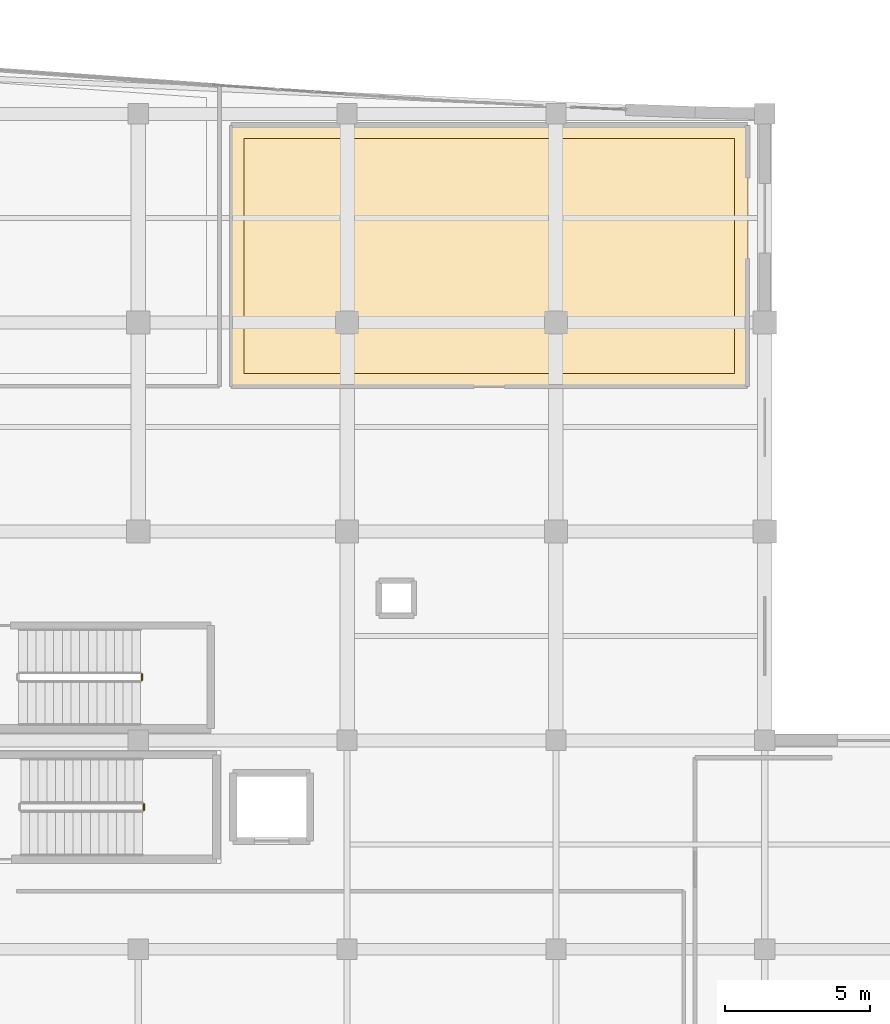
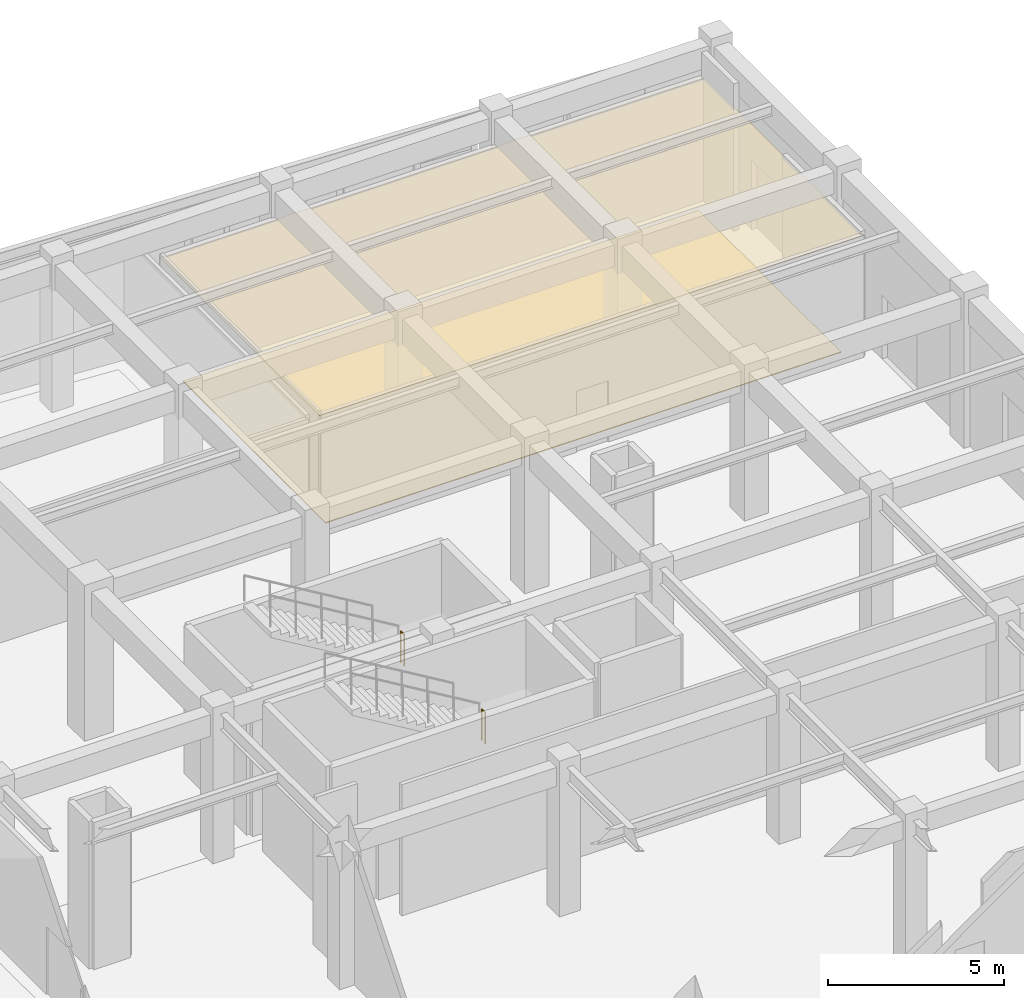
# One storey, part 102 of 102: 2 coverings, 2 railings.
"""IFC4 building model written with IfcOpenShell, lengths in metres."""

import ifcopenshell
import ifcopenshell.guid

model = None  # the IFC model being written
_history = None  # IfcOwnerHistory: only IFC2X3 demands one
_inside = {}  # id of a spatial element -> (the spatial element, [elements in it])
_under = {}  # id of a project, library or spatial element -> (it, [spatial elements below it])
_declared = {}  # id of a project -> (the project, [libraries it declares])
_typed = {}  # id of a type object -> (the type object, [elements of that type])
_made_of = {}  # id of a material, layer set ... -> (it, [elements and type objects made of it])


def new_model(schema):
    """Start an empty IFC model of exactly this schema.

    Asked for "IFC4X3", IfcOpenShell would pick the latest addendum, in which some entities
    have other attributes; the version numbers below select the first issue.
    IFC2X3 requires an IfcOwnerHistory on every rooted entity: one is made here for all.
    """
    global model, _history
    if schema == "IFC4X3":
        model = ifcopenshell.file(schema_version=(4, 3, 0, 0))
    else:
        model = ifcopenshell.file(schema=schema)
    _inside.clear()
    _under.clear()
    _declared.clear()
    _typed.clear()
    _made_of.clear()
    _history = None
    if model.schema == "IFC2X3":
        org = make("IfcOrganization", Name="unknown")
        user = make(
            "IfcPersonAndOrganization",
            ThePerson=make("IfcPerson", FamilyName="unknown"),
            TheOrganization=org,
        )
        app = make(
            "IfcApplication",
            ApplicationDeveloper=org,
            Version="unknown",
            ApplicationFullName="unknown",
            ApplicationIdentifier="unknown",
        )
        _history = make(
            "IfcOwnerHistory",
            OwningUser=user,
            OwningApplication=app,
            ChangeAction="ADDED",
            CreationDate=0,
        )
    return model


def make(cls, **values):
    """One entity of the class cls with the attributes given. An attribute that is None is left unset."""
    return model.create_entity(
        cls, **{name: value for name, value in values.items() if value is not None}
    )


def rooted(cls, **values):
    """An entity with a GlobalId (a new one), such as an element, a storey or a relation."""
    return make(cls, GlobalId=ifcopenshell.guid.new(), OwnerHistory=_history, **values)


def si_unit(unit_type, name, prefix=None):
    """IfcSIUnit, for example si_unit("LENGTHUNIT", "METRE", prefix="MILLI")."""
    return make("IfcSIUnit", UnitType=unit_type, Prefix=prefix, Name=name)


def assignment(units):
    """IfcUnitAssignment: the units of a project."""
    return None if units is None else make("IfcUnitAssignment", Units=units)


def point(xyz):
    """IfcCartesianPoint."""
    return None if xyz is None else make("IfcCartesianPoint", Coordinates=xyz)


def direction(xyz):
    """IfcDirection."""
    return None if xyz is None else make("IfcDirection", DirectionRatios=xyz)


def frame(location, z_axis=None, x_axis=None):
    """IfcAxis2Placement3D, a coordinate frame: its origin and axes. An axis left out is left unset."""
    return make(
        "IfcAxis2Placement3D",
        Location=point(location),
        Axis=direction(z_axis),
        RefDirection=direction(x_axis),
    )


def frame_2d(location, x_axis=None):
    """IfcAxis2Placement2D, a coordinate frame in the plane: its origin and x axis."""
    return make(
        "IfcAxis2Placement2D", Location=point(location), RefDirection=direction(x_axis)
    )


def origin():
    """The frame at (0, 0, 0) with its axes left unset."""
    return frame((0.0, 0.0, 0.0))


def origin_2d():
    """The frame at (0, 0) in the plane with its x axis left unset."""
    return frame_2d((0.0, 0.0))


def place(relative_to, where):
    """IfcLocalPlacement: puts the frame where relative to a parent placement (None: the world)."""
    return make(
        "IfcLocalPlacement", PlacementRelTo=relative_to, RelativePlacement=where
    )


def context(
    kind, dimensions, precision=None, world=None, true_north=None, identifier=None
):
    """IfcGeometricRepresentationContext, for example the 3D "Model" context."""
    return make(
        "IfcGeometricRepresentationContext",
        ContextIdentifier=identifier,
        ContextType=kind,
        CoordinateSpaceDimension=dimensions,
        Precision=precision,
        WorldCoordinateSystem=world,
        TrueNorth=true_north,
    )


def subcontext(parent, identifier, kind, view, scale=None):
    """IfcGeometricRepresentationSubContext, for example "Body" below "Model"."""
    return make(
        "IfcGeometricRepresentationSubContext",
        ContextIdentifier=identifier,
        ContextType=kind,
        ParentContext=parent,
        TargetScale=scale,
        TargetView=view,
    )


def project(units=None, contexts=None):
    """IfcProject with its units and contexts."""
    return rooted(
        "IfcProject",
        Name="project",
        RepresentationContexts=contexts,
        UnitsInContext=assignment(units),
    )


def spatial(cls, under=None, at=None, **own):
    """A site, building, storey or space (cls), placed at a placement, below another one or the project."""
    s = rooted(cls, ObjectPlacement=at, **own)
    if under is not None:
        _under.setdefault(under.id(), (under, []))[1].append(s)
    return s


def polyline(points):
    """IfcPolyline through the points."""
    return make("IfcPolyline", Points=[point(p) for p in points])


def profile(cls, at=None, kind="AREA", **sizes):
    """A parametric profile (cls). Its sizes go by their IFC names, for example OverallWidth=200.0."""
    return make(cls, ProfileType=kind, Position=at, **sizes)


def circle(**sizes):
    """IfcCircleProfileDef."""
    return profile("IfcCircleProfileDef", **sizes)


def outline(outer, holes=None, kind="AREA"):
    """IfcArbitraryClosedProfileDef: a profile drawn as a closed curve; with holes, ...WithVoids."""
    if holes is None:
        return make("IfcArbitraryClosedProfileDef", ProfileType=kind, OuterCurve=outer)
    return make(
        "IfcArbitraryProfileDefWithVoids",
        ProfileType=kind,
        OuterCurve=outer,
        InnerCurves=holes,
    )


def extrude(swept, where, along, depth):
    """IfcExtrudedAreaSolid: the profile swept, set in the frame where, extruded along a direction by depth."""
    return make(
        "IfcExtrudedAreaSolid",
        SweptArea=swept,
        Position=where,
        ExtrudedDirection=direction(along),
        Depth=depth,
    )


def shape(context_of_items, identifier, shape_type, items):
    """IfcShapeRepresentation: the items that make up one representation, for example the "Body"."""
    return make(
        "IfcShapeRepresentation",
        ContextOfItems=context_of_items,
        RepresentationIdentifier=identifier,
        RepresentationType=shape_type,
        Items=items,
    )


def material(Name=None, Category=None):
    """IfcMaterial."""
    return make("IfcMaterial", Name=Name, Category=Category)


def layer(
    of_material, thickness, ventilated=None, Name=None, Category=None, Priority=None
):
    """IfcMaterialLayer: one layer of a wall or slab, of a material (None: an air gap)."""
    return make(
        "IfcMaterialLayer",
        Material=of_material,
        LayerThickness=thickness,
        IsVentilated=ventilated,
        Name=Name,
        Category=Category,
        Priority=Priority,
    )


def layer_set(layers, Name=None):
    """IfcMaterialLayerSet."""
    return make("IfcMaterialLayerSet", MaterialLayers=layers, LayerSetName=Name)


def made_of(thing, what):
    """Note that an element or type object is made of a material, layer set ...; save() writes the relation."""
    if what is not None:
        _made_of.setdefault(what.id(), (what, []))[1].append(thing)
    return thing


def type_object(cls, material=None, **own):
    """A type object (cls), such as IfcWallType, which elements share."""
    return made_of(rooted(cls, **own), material)


def element(
    cls,
    number,
    at=None,
    inside=None,
    cuts=None,
    type_object=None,
    material=None,
    context=None,
    identifier="Body",
    shape_type=None,
    held_by="IfcProductDefinitionShape",
    body=None,
    shapes=None,
    **own,
):
    """One element of the class cls, such as IfcWall. Its Tag is "e" and its number.

    at: its placement. inside: the storey or other place that contains it. cuts: it is an
    opening in that element (IfcRelVoidsElement). A single representation is given by context,
    identifier, shape_type and body (its items); several are given by shapes. held_by: the class
    of the entity that holds the representations. save() writes the other relations.
    """
    e = rooted(cls, Tag="e%d" % number, ObjectPlacement=at, **own)
    if body is not None:
        shapes = [shape(context, identifier, shape_type, body)]
    if shapes is not None:
        e.Representation = make(held_by, Representations=shapes)
    if inside is not None:
        _inside.setdefault(inside.id(), (inside, []))[1].append(e)
    if cuts is not None:
        rooted(
            "IfcRelVoidsElement", RelatingBuildingElement=cuts, RelatedOpeningElement=e
        )
    if type_object is not None:
        _typed.setdefault(type_object.id(), (type_object, []))[1].append(e)
    return made_of(e, material)


def aggregate(whole, parts):
    """IfcRelAggregates: a whole, such as a stair, and the parts it consists of."""
    return rooted("IfcRelAggregates", RelatingObject=whole, RelatedObjects=parts)


def save(model, path):
    """Write the relations noted so far, then the file.

    IfcRelAggregates (storeys below a building ...), IfcRelContainedInSpatialStructure (elements
    in a storey), IfcRelDefinesByType, IfcRelAssociatesMaterial and IfcRelDeclares: one each for
    every whole, place, type object, material and project.
    """
    for whole, parts in _under.values():
        aggregate(whole, parts)
    for where, things in _inside.values():
        rooted(
            "IfcRelContainedInSpatialStructure",
            RelatedElements=things,
            RelatingStructure=where,
        )
    for kind, things in _typed.values():
        rooted("IfcRelDefinesByType", RelatedObjects=things, RelatingType=kind)
    for what, things in _made_of.values():
        rooted("IfcRelAssociatesMaterial", RelatedObjects=things, RelatingMaterial=what)
    for by, libraries in _declared.values():
        rooted("IfcRelDeclares", RelatingContext=by, RelatedDefinitions=libraries)
    model.write(path)


model = new_model("IFC4")

# Units and contexts
model_context = context("Model", 3, precision=1e-05, world=origin(), true_north=direction((0.0, 1.0)))
body_context = subcontext(model_context, "Body", "Model", "MODEL_VIEW")
ifc_project = project(units=[si_unit("LENGTHUNIT", "METRE"), si_unit("AREAUNIT", "SQUARE_METRE"), si_unit("VOLUMEUNIT", "CUBIC_METRE"), si_unit("PLANEANGLEUNIT", "RADIAN"), si_unit("MASSUNIT", "GRAM", prefix="KILO")], contexts=[model_context])

# Site, building, storey
site_placement = place(None, origin())
site = spatial("IfcSite", under=ifc_project, at=site_placement, CompositionType="ELEMENT")
building_placement = place(site_placement, origin())
building = spatial("IfcBuilding", under=site, at=building_placement, Name="Carrowvane Square Congress Hotel", CompositionType="ELEMENT")
storey_placement = place(building_placement, origin())
storey = spatial("IfcBuildingStorey", under=building, at=storey_placement, Name="L00", CompositionType="ELEMENT", Elevation=0.0)

# Coverings
ifc_material_1 = material(Name="European oak timber", Category="wood")
ifc_layer_1 = layer(ifc_material_1, 0.02490234375)
ifc_layer_set_1 = layer_set([ifc_layer_1], Name="European oak timber")
covering_type_1 = type_object("IfcCoveringType", Name="COV-CLG-WD25", PredefinedType="CEILING", material=ifc_layer_set_1)
covering_1_placement = place(storey_placement, frame((0.0, 0.0, 4.159912109375)))
element("IfcCovering", 1, at=covering_1_placement, inside=storey, type_object=covering_type_1, Name="L00 North Park Waterfront Cocktail Bar acoustic ceiling", PredefinedType="CEILING", context=body_context, shape_type="SweptSolid", body=[
    extrude(outline(polyline([(144.381591796875, 103.9921875), (144.380859375, 103.994140625), (144.38037109375, 103.99609375), (144.380126953125, 103.998046875), (144.3798828125, 104.0), (144.3798828125, 113.0), (144.380126953125, 113.001953125), (144.38037109375, 113.00390625), (144.380859375, 113.005859375), (144.381591796875, 113.0078125), (144.38232421875, 113.009521484375), (144.38330078125, 113.010986328125), (144.384521484375, 113.0126953125), (144.385986328125, 113.01416015625), (144.38720703125, 113.015380859375), (144.388916015625, 113.0166015625), (144.390625, 113.017578125), (144.392333984375, 113.0185546875), (144.394287109375, 113.01904296875), (144.39599609375, 113.01953125), (144.39794921875, 113.02001953125), (144.39990234375, 113.02001953125), (148.276123046875, 113.02001953125), (148.283935546875, 113.01708984375), (148.322021484375, 113.0078125), (148.36083984375, 113.001953125), (148.39990234375, 113.0), (148.439208984375, 113.001953125), (148.47802734375, 113.0078125), (148.51611328125, 113.01708984375), (148.52392578125, 113.02001953125), (155.47607421875, 113.02001953125), (155.48388671875, 113.01708984375), (155.52197265625, 113.0078125), (155.560791015625, 113.001953125), (155.60009765625, 113.0), (155.63916015625, 113.001953125), (155.677978515625, 113.0078125), (155.716064453125, 113.01708984375), (155.723876953125, 113.02001953125), (162.199951171875, 113.02001953125), (162.201904296875, 113.02001953125), (162.203857421875, 113.01953125), (162.205810546875, 113.01904296875), (162.207763671875, 113.0185546875), (162.20947265625, 113.017578125), (162.211181640625, 113.0166015625), (162.212646484375, 113.015380859375), (162.214111328125, 113.01416015625), (162.215576171875, 113.0126953125), (162.216552734375, 113.010986328125), (162.217529296875, 113.009521484375), (162.218505859375, 113.0078125), (162.218994140625, 113.005859375), (162.219482421875, 113.00390625), (162.219970703125, 113.001953125), (162.219970703125, 113.0), (162.219970703125, 104.0), (162.219970703125, 103.998046875), (162.219482421875, 103.99609375), (162.218994140625, 103.994140625), (162.218505859375, 103.9921875), (162.217529296875, 103.990478515625), (162.216552734375, 103.989013671875), (162.215576171875, 103.9873046875), (162.214111328125, 103.98583984375), (162.212646484375, 103.984619140625), (162.211181640625, 103.9833984375), (162.20947265625, 103.982421875), (162.207763671875, 103.9814453125), (162.205810546875, 103.98095703125), (162.203857421875, 103.98046875), (162.201904296875, 103.97998046875), (162.199951171875, 103.97998046875), (144.39990234375, 103.97998046875), (144.39794921875, 103.97998046875), (144.39599609375, 103.98046875), (144.394287109375, 103.98095703125), (144.392333984375, 103.9814453125), (144.390625, 103.982421875), (144.388916015625, 103.9833984375), (144.38720703125, 103.984619140625), (144.385986328125, 103.98583984375), (144.384521484375, 103.9873046875), (144.38330078125, 103.989013671875), (144.38232421875, 103.990478515625), (144.381591796875, 103.9921875)])), origin(), (0.0, 0.0, 1.0), 0.025146484375),
])
ifc_material_2 = material(Name="Portland limestone cladding", Category="masonry")
ifc_layer_2 = layer(ifc_material_2, 0.02587890625)
ifc_layer_set_2 = layer_set([ifc_layer_2], Name="Portland limestone cladding")
covering_type_2 = type_object("IfcCoveringType", Name="COV-FLR-STN26", PredefinedType="FLOORING", material=ifc_layer_set_2)
covering_2_placement = place(storey_placement, origin())
element("IfcCovering", 2, at=covering_2_placement, inside=storey, type_object=covering_type_2, Name="L00 North Park Waterfront Cocktail Bar floor finish", PredefinedType="FLOORING", context=body_context, shape_type="SweptSolid", body=[
    extrude(outline(polyline([(161.75, 112.550048828125), (161.75, 104.449951171875), (144.85009765625, 104.449951171875), (144.85009765625, 112.550048828125), (161.75, 112.550048828125)])), origin(), (0.0, 0.0, 1.0), 0.02587890625),
])

# Railings
ifc_material_3 = material(Name="Galvanised steel", Category="steel")
ifc_layer_3 = layer(ifc_material_3, 0.048095703125)
ifc_layer_set_3 = layer_set([ifc_layer_3], Name="Galvanised steel")
railing_type = type_object("IfcRailingType", Name="RLG-STG-1100", PredefinedType="GUARDRAIL", material=ifc_layer_set_3)
for number, where, name in (
    (3, (141.39990234375, 89.39990234375, 2.699951171875), "L00 ST8 stair guard 2"),
    (4, (141.330078125, 93.8798828125, 2.699951171875), "L00 ST12 stair guard 2"),
):
    element("IfcRailing", number, at=place(storey_placement, frame(where)), inside=storey, type_object=railing_type, Name=name, PredefinedType="GUARDRAIL", context=body_context, shape_type="SweptSolid", body=[
        extrude(circle(Radius=0.02392578125, at=origin_2d()), frame((0.0, 0.0, 1.076171875), z_axis=(0.0, 1.0, 0.0), x_axis=(-1.0, 0.0, 0.0)), (0.0, 0.0, 1.0), 0.2001953125),
        extrude(circle(Radius=0.02099609375, at=origin_2d()), origin(), (0.0, 0.0, 1.0), 1.052001953125),
        extrude(circle(Radius=0.02099609375, at=origin_2d()), frame((0.0, 0.2001953125, 0.0)), (0.0, 0.0, 1.0), 1.052001953125),
    ])

save(model, "model.ifc")
